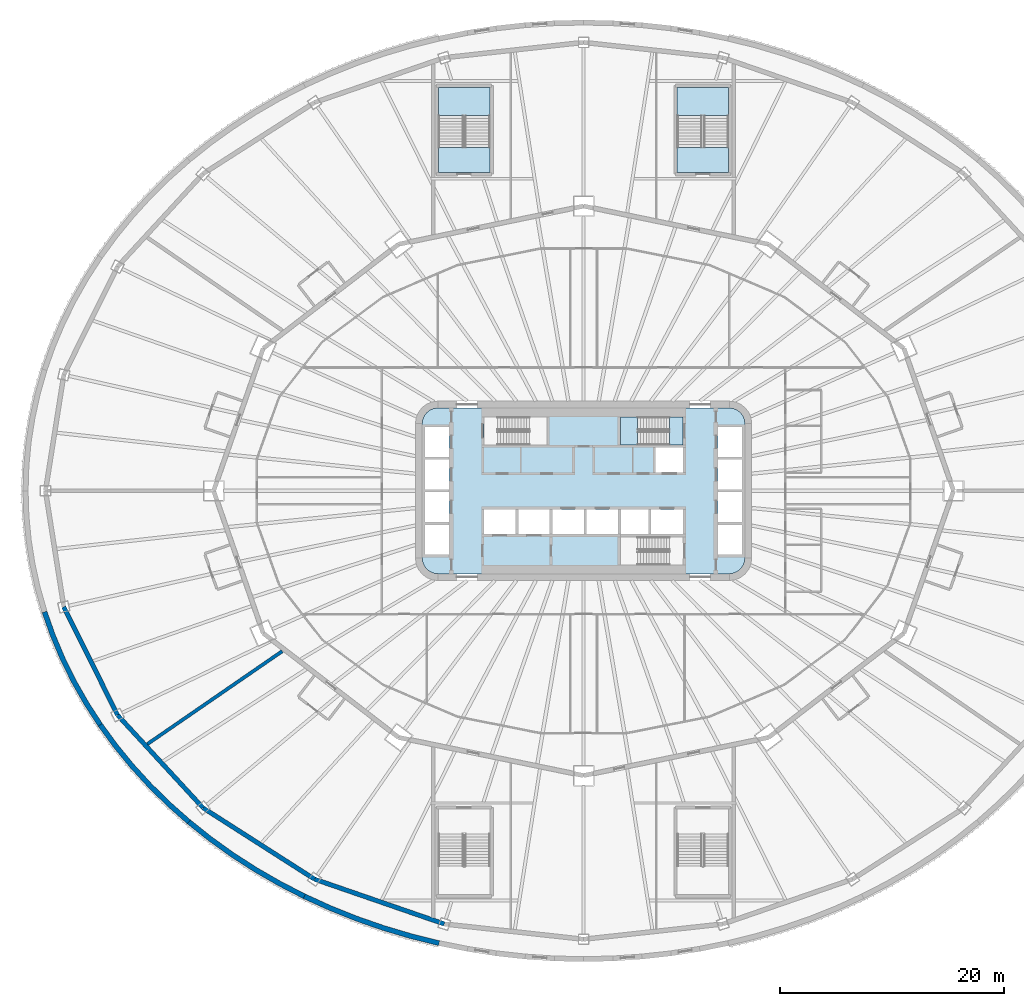
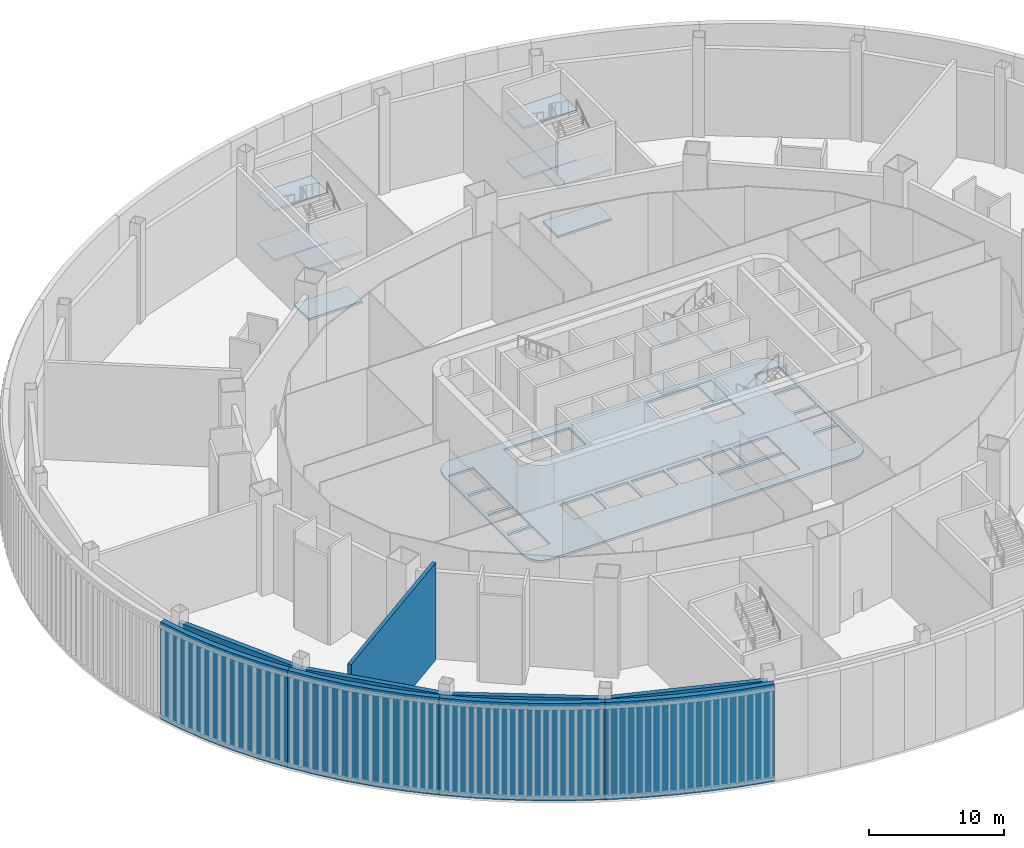
# One storey, part 5 of 35: 13 slabs, 9 walls, 3 elements without a shape of their own.
"""IFC4 building model written with IfcOpenShell, lengths in metres."""

from ifc_helpers import new_model, si_unit, direction, frame, frame_2d, origin, place, context, subcontext, project, spatial, polyline, rectangle, outline, extrude, material, layer, layer_set, type_object, element, aggregate, save


model = new_model("IFC4")

# Units and contexts
model_context = context("Model", 3, precision=1e-05, world=origin(), true_north=direction((0.0, 1.0)))
body_context = subcontext(model_context, "Body", "Model", "MODEL_VIEW")
ifc_project = project(units=[si_unit("LENGTHUNIT", "METRE"), si_unit("AREAUNIT", "SQUARE_METRE"), si_unit("VOLUMEUNIT", "CUBIC_METRE"), si_unit("PLANEANGLEUNIT", "RADIAN"), si_unit("MASSUNIT", "GRAM", prefix="KILO")], contexts=[model_context])

# Site, building, storey
site_placement = place(None, origin())
site = spatial("IfcSite", under=ifc_project, at=site_placement, CompositionType="ELEMENT")
building_placement = place(site_placement, origin())
building = spatial("IfcBuilding", under=site, at=building_placement, Name="Sahrelin Media Tower", CompositionType="ELEMENT")
storey_placement = place(building_placement, frame((0.0, 0.0, 8.0)))
storey = spatial("IfcBuildingStorey", under=building, at=storey_placement, Name="L01", CompositionType="ELEMENT", Elevation=8.0)

# Slab
ifc_material_1 = material(Name="Concrete C40/50", Category="concrete")
ifc_layer_1 = layer(ifc_material_1, 0.199951171875)
ifc_layer_set_1 = layer_set([ifc_layer_1], Name="Core floor slab 200")
slab_type_1 = type_object("IfcSlabType", Name="Core floor slab 200", PredefinedType="FLOOR", material=ifc_layer_set_1)
placement_1 = place(storey_placement, frame((0.0, 0.0, -0.199951171875)))
element("IfcSlab", 1, at=placement_1, inside=storey, type_object=slab_type_1, Name="Core floor", PredefinedType="FLOOR", context=body_context, shape_type="SweptSolid", body=[
    extrude(outline(polyline([(-13.986328125, 6.986328125), (-14.2080078125, 6.697509765625), (-14.347412109375, 6.361083984375), (-14.39990234375, 5.960693359375), (-14.39990234375, -5.960693359375), (-14.347412109375, -6.361083984375), (-14.2080078125, -6.697509765625), (-13.986328125, -6.986328125), (-13.697509765625, -7.2080078125), (-13.361083984375, -7.347412109375), (-12.960693359375, -7.39990234375), (12.960693359375, -7.39990234375), (13.361083984375, -7.347412109375), (13.697509765625, -7.2080078125), (13.986328125, -6.986328125), (14.2080078125, -6.697509765625), (14.347412109375, -6.361083984375), (14.39990234375, -5.960693359375), (14.39990234375, 5.960693359375), (14.347412109375, 6.361083984375), (14.2080078125, 6.697509765625), (13.986328125, 6.986328125), (13.697509765625, 7.2080078125), (13.361083984375, 7.347412109375), (12.960693359375, 7.39990234375), (-12.960693359375, 7.39990234375), (-13.361083984375, 7.347412109375), (-13.697509765625, 7.2080078125), (-13.986328125, 6.986328125)]), holes=[polyline([(-14.14990234375, 5.675048828125), (-14.14990234375, 3.02490234375), (-12.0, 3.02490234375), (-12.0, 5.675048828125), (-14.14990234375, 5.675048828125)]), polyline([(-12.0, 2.77490234375), (-14.14990234375, 2.77490234375), (-14.14990234375, 0.125), (-12.0, 0.125), (-12.0, 2.77490234375)]), polyline([(-12.0, -2.77490234375), (-12.0, -0.125), (-14.14990234375, -0.125), (-14.14990234375, -2.77490234375), (-12.0, -2.77490234375)]), polyline([(-14.14990234375, -5.675048828125), (-12.0, -5.675048828125), (-12.0, -3.02490234375), (-14.14990234375, -3.02490234375), (-14.14990234375, -5.675048828125)]), polyline([(12.0, 5.675048828125), (12.0, 3.02490234375), (14.14990234375, 3.02490234375), (14.14990234375, 5.675048828125), (12.0, 5.675048828125)]), polyline([(14.14990234375, 2.77490234375), (12.0, 2.77490234375), (12.0, 0.125), (14.14990234375, 0.125), (14.14990234375, 2.77490234375)]), polyline([(14.14990234375, -2.77490234375), (14.14990234375, -0.125), (12.0, -0.125), (12.0, -2.77490234375), (14.14990234375, -2.77490234375)]), polyline([(12.0, -5.675048828125), (14.14990234375, -5.675048828125), (14.14990234375, -3.02490234375), (12.0, -3.02490234375), (12.0, -5.675048828125)]), polyline([(6.425048828125, 3.85009765625), (6.425048828125, 1.64990234375), (8.875, 1.64990234375), (8.875, 3.85009765625), (6.425048828125, 3.85009765625)]), polyline([(-6.074951171875, -1.64990234375), (-8.875, -1.64990234375), (-8.875, -3.85009765625), (-6.074951171875, -3.85009765625), (-6.074951171875, -1.64990234375)]), polyline([(-3.02490234375, -3.85009765625), (-3.02490234375, -1.64990234375), (-5.824951171875, -1.64990234375), (-5.824951171875, -3.85009765625), (-3.02490234375, -3.85009765625)]), polyline([(-2.77490234375, -3.85009765625), (0.02490234375, -3.85009765625), (0.02490234375, -1.64990234375), (-2.77490234375, -1.64990234375), (-2.77490234375, -3.85009765625)]), polyline([(0.27490234375, -1.64990234375), (0.27490234375, -3.85009765625), (3.074951171875, -3.85009765625), (3.074951171875, -1.64990234375), (0.27490234375, -1.64990234375)]), polyline([(5.77490234375, -1.64990234375), (3.324951171875, -1.64990234375), (3.324951171875, -3.85009765625), (5.77490234375, -3.85009765625), (5.77490234375, -1.64990234375)]), polyline([(8.875, -3.85009765625), (8.875, -1.64990234375), (6.02490234375, -1.64990234375), (6.02490234375, -3.85009765625), (8.875, -3.85009765625)]), polyline([(-8.875, 6.60009765625), (-8.875, 4.10009765625), (-3.27490234375, 4.10009765625), (-3.27490234375, 6.60009765625), (-8.875, 6.60009765625)]), polyline([(3.27490234375, 4.10009765625), (8.875, 4.10009765625), (8.875, 6.60009765625), (3.27490234375, 6.60009765625), (3.27490234375, 4.10009765625)]), polyline([(3.27490234375, -4.10009765625), (3.27490234375, -6.60009765625), (8.875, -6.60009765625), (8.875, -4.10009765625), (3.27490234375, -4.10009765625)])]), origin(), (0.0, 0.0, 1.0), 0.199951171875),
])

# Stair, slabs
stair_type_1 = type_object("IfcStairType", Name="Exit stair 1200", PredefinedType="HALF_TURN_STAIR", material=ifc_material_1)
placement_2 = place(storey_placement, origin())
stair_1 = element("IfcStair", 2, at=placement_2, inside=storey, type_object=stair_type_1, Name="L01 Exit stair ST3", PredefinedType="HALF_TURN_STAIR")
ifc_layer_2 = layer(ifc_material_1, 0.199951171875)
ifc_layer_set_2 = layer_set([ifc_layer_2], Name="Stair landing 200")
slab_type_2 = type_object("IfcSlabType", Name="Stair landing 200", PredefinedType="LANDING", material=ifc_layer_set_2)
placement_3 = place(storey_placement, frame((0.0, 0.0, 2.050048828125)))
slab_2 = element("IfcSlab", 3, at=placement_3, type_object=slab_type_2, Name="ST3 landing 1", PredefinedType="LANDING", context=body_context, shape_type="SweptSolid", body=[
    extrude(outline(polyline([(4.81494140625, 6.60009765625), (3.27490234375, 6.60009765625), (3.27490234375, 4.10009765625), (4.81494140625, 4.10009765625), (4.81494140625, 6.60009765625)])), origin(), (0.0, 0.0, 1.0), 0.199951171875),
])
placement_4 = place(storey_placement, frame((0.0, 0.0, 4.300048828125)))
slab_3 = element("IfcSlab", 4, at=placement_4, type_object=slab_type_2, Name="ST3 landing 2", PredefinedType="LANDING", context=body_context, shape_type="SweptSolid", body=[
    extrude(outline(polyline([(8.875, 6.60009765625), (7.675048828125, 6.60009765625), (7.675048828125, 4.10009765625), (8.875, 4.10009765625), (8.875, 6.60009765625)])), origin(), (0.0, 0.0, 1.0), 0.199951171875),
])
placement_5 = place(storey_placement, frame((0.0, 0.0, 6.550048828125)))
slab_4 = element("IfcSlab", 5, at=placement_5, type_object=slab_type_2, Name="ST3 landing 3", PredefinedType="LANDING", context=body_context, shape_type="SweptSolid", body=[
    extrude(outline(polyline([(4.81494140625, 6.60009765625), (3.27490234375, 6.60009765625), (3.27490234375, 4.10009765625), (4.81494140625, 4.10009765625), (4.81494140625, 6.60009765625)])), origin(), (0.0, 0.0, 1.0), 0.199951171875),
])
slab_5 = element("IfcSlab", 6, at=placement_1, type_object=slab_type_2, Name="ST3 landing 4", PredefinedType="LANDING", context=body_context, shape_type="SweptSolid", body=[
    extrude(outline(polyline([(8.875, 6.60009765625), (7.675048828125, 6.60009765625), (7.675048828125, 4.10009765625), (8.875, 4.10009765625), (8.875, 6.60009765625)])), origin(), (0.0, 0.0, 1.0), 0.199951171875),
])
aggregate(stair_1, [slab_2, slab_3, slab_4, slab_5])

stair_type_2 = type_object("IfcStairType", Name="Podium stair 2225", PredefinedType="HALF_TURN_STAIR", material=ifc_material_1)
stair_2 = element("IfcStair", 7, at=placement_2, inside=storey, type_object=stair_type_2, Name="L01 Podium stair PS1", PredefinedType="HALF_TURN_STAIR")
slab_6 = element("IfcSlab", 8, at=placement_3, type_object=slab_type_2, Name="PS1 landing 1", PredefinedType="LANDING", context=body_context, shape_type="SweptSolid", body=[
    extrude(outline(polyline([(12.949951171875, 33.485107421875), (12.949951171875, 36.0), (8.35009765625, 36.0), (8.35009765625, 33.485107421875), (12.949951171875, 33.485107421875)])), origin(), (0.0, 0.0, 1.0), 0.199951171875),
])
slab_7 = element("IfcSlab", 9, at=placement_4, type_object=slab_type_2, Name="PS1 landing 2", PredefinedType="LANDING", context=body_context, shape_type="SweptSolid", body=[
    extrude(outline(polyline([(12.949951171875, 28.39990234375), (12.949951171875, 30.625), (8.35009765625, 30.625), (8.35009765625, 28.39990234375), (12.949951171875, 28.39990234375)])), origin(), (0.0, 0.0, 1.0), 0.199951171875),
])
slab_8 = element("IfcSlab", 10, at=placement_5, type_object=slab_type_2, Name="PS1 landing 3", PredefinedType="LANDING", context=body_context, shape_type="SweptSolid", body=[
    extrude(outline(polyline([(12.949951171875, 33.485107421875), (12.949951171875, 36.0), (8.35009765625, 36.0), (8.35009765625, 33.485107421875), (12.949951171875, 33.485107421875)])), origin(), (0.0, 0.0, 1.0), 0.199951171875),
])
slab_9 = element("IfcSlab", 11, at=placement_1, type_object=slab_type_2, Name="PS1 landing 4", PredefinedType="LANDING", context=body_context, shape_type="SweptSolid", body=[
    extrude(outline(polyline([(12.949951171875, 28.39990234375), (12.949951171875, 30.625), (8.35009765625, 30.625), (8.35009765625, 28.39990234375), (12.949951171875, 28.39990234375)])), origin(), (0.0, 0.0, 1.0), 0.199951171875),
])
aggregate(stair_2, [slab_6, slab_7, slab_8, slab_9])

stair_3 = element("IfcStair", 12, at=placement_2, inside=storey, type_object=stair_type_2, Name="L01 Podium stair PS2", PredefinedType="HALF_TURN_STAIR")
slab_10 = element("IfcSlab", 13, at=placement_3, type_object=slab_type_2, Name="PS2 landing 1", PredefinedType="LANDING", context=body_context, shape_type="SweptSolid", body=[
    extrude(outline(polyline([(-8.35009765625, 33.485107421875), (-8.35009765625, 36.0), (-12.949951171875, 36.0), (-12.949951171875, 33.485107421875), (-8.35009765625, 33.485107421875)])), origin(), (0.0, 0.0, 1.0), 0.199951171875),
])
slab_11 = element("IfcSlab", 14, at=placement_4, type_object=slab_type_2, Name="PS2 landing 2", PredefinedType="LANDING", context=body_context, shape_type="SweptSolid", body=[
    extrude(outline(polyline([(-8.35009765625, 28.39990234375), (-8.35009765625, 30.625), (-12.949951171875, 30.625), (-12.949951171875, 28.39990234375), (-8.35009765625, 28.39990234375)])), origin(), (0.0, 0.0, 1.0), 0.199951171875),
])
slab_12 = element("IfcSlab", 15, at=placement_5, type_object=slab_type_2, Name="PS2 landing 3", PredefinedType="LANDING", context=body_context, shape_type="SweptSolid", body=[
    extrude(outline(polyline([(-8.35009765625, 33.485107421875), (-8.35009765625, 36.0), (-12.949951171875, 36.0), (-12.949951171875, 33.485107421875), (-8.35009765625, 33.485107421875)])), origin(), (0.0, 0.0, 1.0), 0.199951171875),
])
slab_13 = element("IfcSlab", 16, at=placement_1, type_object=slab_type_2, Name="PS2 landing 4", PredefinedType="LANDING", context=body_context, shape_type="SweptSolid", body=[
    extrude(outline(polyline([(-8.35009765625, 28.39990234375), (-8.35009765625, 30.625), (-12.949951171875, 30.625), (-12.949951171875, 28.39990234375), (-8.35009765625, 28.39990234375)])), origin(), (0.0, 0.0, 1.0), 0.199951171875),
])
aggregate(stair_3, [slab_10, slab_11, slab_12, slab_13])

# Walls
ifc_material_2 = material(Name="Fire-rated gypsum board partition")
ifc_layer_3 = layer(ifc_material_2, 0.300048828125)
ifc_layer_set_3 = layer_set([ifc_layer_3], Name="Fire-rated partition 300")
wall_type_1 = type_object("IfcWallType", Name="Fire-rated partition 300", PredefinedType="PARTITIONING", material=ifc_layer_set_3)
wall_1_placement = place(storey_placement, frame((-26.887939453125, -14.31201171875, 0.0), z_axis=(0.0, 0.0, 1.0), x_axis=(-0.823646474485, -0.567103592889, 0.0)))
element("IfcWall", 17, at=wall_1_placement, inside=storey, type_object=wall_type_1, Name="Wall", PredefinedType="PARTITIONING", context=body_context, shape_type="SweptSolid", body=[
    extrude(rectangle(XDim=14.598388671875, YDim=0.300048828125, at=frame_2d((7.29931640625, 0.0))), origin(), (0.0, 0.0, 1.0), 8.800048828125),
])
ifc_layer_4 = layer(ifc_material_2, 0.39990234375)
ifc_layer_set_4 = layer_set([ifc_layer_4], Name="Fire-rated partition 400")
wall_type_2 = type_object("IfcWallType", Name="Fire-rated partition 400", PredefinedType="PARTITIONING", material=ifc_layer_set_4)
wall_2_placement = place(storey_placement, frame((-46.364501953125, -10.352783203125, 0.0), z_axis=(0.0, 0.0, 1.0), x_axis=(0.445118441463, -0.895471704226, 0.0)))
element("IfcWall", 18, at=wall_2_placement, inside=storey, type_object=wall_type_2, Name="Wall", PredefinedType="PARTITIONING", context=body_context, shape_type="SweptSolid", body=[
    extrude(rectangle(XDim=10.7734375, YDim=0.39990234375, at=frame_2d((5.38671875, 0.0))), origin(), (0.0, 0.0, 1.0), 7.876953125),
])
wall_3_placement = place(storey_placement, frame((-41.569091796875, -20.0, 0.0), z_axis=(0.0, 0.0, 1.0), x_axis=(0.67736833065, -0.735644033914, 0.0)))
element("IfcWall", 19, at=wall_3_placement, inside=storey, type_object=wall_type_2, Name="Wall", PredefinedType="PARTITIONING", context=body_context, shape_type="SweptSolid", body=[
    extrude(rectangle(XDim=11.26123046875, YDim=0.39990234375, at=frame_2d((5.630615234375, 0.0))), origin(), (0.0, 0.0, 1.0), 7.876953125),
])
wall_4_placement = place(storey_placement, frame((-33.941162109375, -28.2841796875, 0.0), z_axis=(0.0, 0.0, 1.0), x_axis=(0.842479506869, -0.538728392147, 0.0)))
element("IfcWall", 20, at=wall_4_placement, inside=storey, type_object=wall_type_2, Name="Wall", PredefinedType="PARTITIONING", context=body_context, shape_type="SweptSolid", body=[
    extrude(rectangle(XDim=11.7998046875, YDim=0.39990234375, at=frame_2d((5.89990234375, 0.0))), origin(), (0.0, 0.0, 1.0), 7.876953125),
])
wall_5_placement = place(storey_placement, frame((-24.0, -34.64111328125, 0.0), z_axis=(0.0, 0.0, 1.0), x_axis=(0.94527485301, -0.326275117449, 0.0)))
element("IfcWall", 21, at=wall_5_placement, inside=storey, type_object=wall_type_2, Name="Wall", PredefinedType="PARTITIONING", context=body_context, shape_type="SweptSolid", body=[
    extrude(rectangle(XDim=12.246826171875, YDim=0.39990234375, at=frame_2d((6.12353515625, 0.0))), origin(), (0.0, 0.0, 1.0), 7.876953125),
])
ifc_layer_5 = layer(ifc_material_1, 0.449951171875)
ifc_layer_set_5 = layer_set([ifc_layer_5], Name="Studio facade wall")
wall_type_3 = type_object("IfcWallType", Name="Studio facade wall", PredefinedType="SOLIDWALL", material=ifc_layer_set_5)
element("IfcWall", 22, at=placement_2, inside=storey, type_object=wall_type_3, Name="Studio facade wall L01-P13", PredefinedType="SOLIDWALL", context=body_context, shape_type="SweptSolid", body=[
    extrude(outline(polyline([(-48.29638671875, -10.870361328125), (-47.552734375, -12.978759765625), (-46.678955078125, -15.051513671875), (-45.67724609375, -17.0830078125), (-44.55029296875, -19.067626953125), (-43.30126953125, -21.0), (-42.930419921875, -20.7451171875), (-44.16552734375, -18.834228515625), (-45.27978515625, -16.872314453125), (-46.269775390625, -14.864501953125), (-47.133056640625, -12.81640625), (-47.86767578125, -10.733642578125), (-48.29638671875, -10.870361328125)])), origin(), (0.0, 0.0, 1.0), 8.800048828125),
])
element("IfcWall", 23, at=placement_2, inside=storey, type_object=wall_type_3, Name="Studio facade wall L01-P14", PredefinedType="SOLIDWALL", context=body_context, shape_type="SweptSolid", body=[
    extrude(outline(polyline([(-43.30126953125, -21.0), (-41.93359375, -22.874755859375), (-40.45068359375, -24.68701171875), (-38.857421875, -26.431396484375), (-37.1572265625, -28.103515625), (-35.355224609375, -29.698486328125), (-35.06591796875, -29.35400390625), (-36.85009765625, -27.7744140625), (-38.533203125, -26.119140625), (-40.1103515625, -24.392578125), (-41.577392578125, -22.599609375), (-42.930419921875, -20.7451171875), (-43.30126953125, -21.0)])), origin(), (0.0, 0.0, 1.0), 8.800048828125),
])
element("IfcWall", 24, at=placement_2, inside=storey, type_object=wall_type_3, Name="Studio facade wall L01-P15", PredefinedType="SOLIDWALL", context=body_context, shape_type="SweptSolid", body=[
    extrude(outline(polyline([(-35.355224609375, -29.698486328125), (-33.45654296875, -31.212158203125), (-31.466064453125, -32.64013671875), (-29.389404296875, -33.978759765625), (-27.23193359375, -35.22412109375), (-25.0, -36.373046875), (-24.8037109375, -35.96826171875), (-27.0166015625, -34.8291015625), (-29.15478515625, -33.594482421875), (-31.212890625, -32.26806640625), (-33.18505859375, -30.853271484375), (-35.06591796875, -29.35400390625), (-35.355224609375, -29.698486328125)])), origin(), (0.0, 0.0, 1.0), 8.800048828125),
])
element("IfcWall", 25, at=placement_2, inside=storey, type_object=wall_type_3, Name="Studio facade wall L01-P16", PredefinedType="SOLIDWALL", context=body_context, shape_type="SweptSolid", body=[
    extrude(outline(polyline([(-25.0, -36.373046875), (-22.699462890625, -37.42236328125), (-20.3369140625, -38.368896484375), (-17.91845703125, -39.21044921875), (-15.45068359375, -39.9443359375), (-12.94091796875, -40.56884765625), (-12.84228515625, -40.1298828125), (-15.332275390625, -39.51025390625), (-17.7802734375, -38.781982421875), (-20.17919921875, -37.947509765625), (-22.5224609375, -37.008544921875), (-24.8037109375, -35.96826171875), (-25.0, -36.373046875)])), origin(), (0.0, 0.0, 1.0), 8.800048828125),
])

save(model, "model.ifc")
